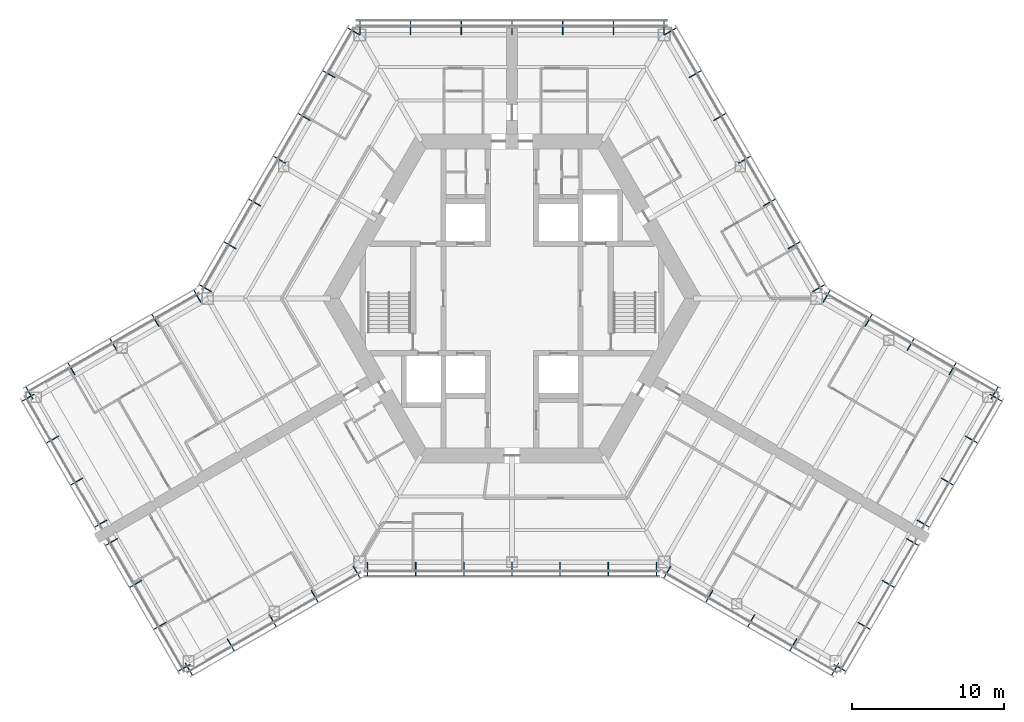
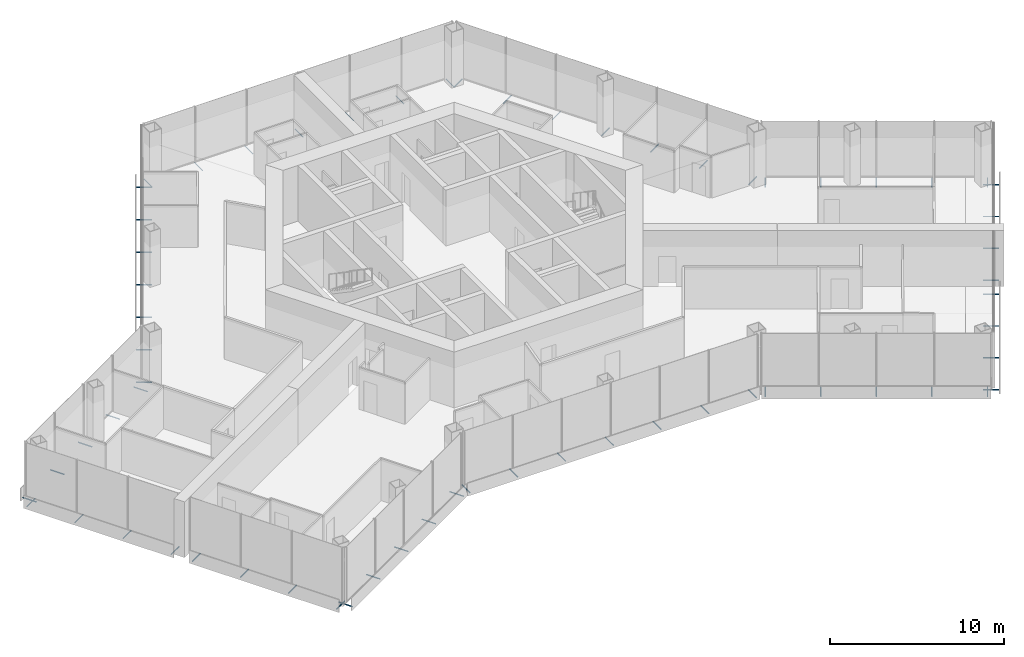
# One storey, part 16 of 18: 64 discrete accessories.
"""IFC4 building model written with IfcOpenShell, lengths in metres."""

from ifc_helpers import new_model, si_unit, direction, frame, origin, origin_2d, place, context, subcontext, project, spatial, hollow_circle, extrude, material, material_profile, profile_set, type_object, element, save


model = new_model("IFC4")

# Units and contexts
model_context = context("Model", 3, precision=1e-05, world=origin(), true_north=direction((0.0, 1.0)))
body_context = subcontext(model_context, "Body", "Model", "MODEL_VIEW")
ifc_project = project(units=[si_unit("LENGTHUNIT", "METRE"), si_unit("AREAUNIT", "SQUARE_METRE"), si_unit("VOLUMEUNIT", "CUBIC_METRE"), si_unit("PLANEANGLEUNIT", "RADIAN"), si_unit("MASSUNIT", "GRAM", prefix="KILO")], contexts=[model_context])

# Site, building, storey
site_placement = place(None, origin())
site = spatial("IfcSite", under=ifc_project, at=site_placement, CompositionType="ELEMENT")
building_placement = place(site_placement, origin())
building = spatial("IfcBuilding", under=site, at=building_placement, Name="Kasaneha Research Tower", CompositionType="ELEMENT")
storey_placement = place(building_placement, frame((0.0, 0.0, 191.60009765625)))
storey = spatial("IfcBuildingStorey", under=building, at=storey_placement, Name="L48", CompositionType="ELEMENT", Elevation=191.60009765625)

# Discrete accessories
ifc_material = material(Name="Steel STK400", Category="steel")
ifc_material_profile = material_profile(ifc_material, hollow_circle(Radius=0.0380859375, WallThickness=0.00390625, at=origin_2d()), Name="CHS-76.3x4.0")
ifc_profile_set = profile_set([ifc_material_profile], Name="Steel STK400")
discrete_accessory_type = type_object("IfcDiscreteAccessoryType", Name="Screen bracket CHS-76.3x4.0", PredefinedType="BRACKET", material=ifc_profile_set)
for number, where, z_axis, x_axis, name in (
    (1, (-9.4892578125, -17.320556640625, -0.300048828125), (0.0, -1.0, 0.0), (1.0, 0.0, 0.0), "Screen bracket 1"),
    (2, (-6.326171875, -17.320556640625, -0.300048828125), (0.0, -1.0, 0.0), (1.0, 0.0, 0.0), "Screen bracket 2"),
    (3, (-3.1630859375, -17.320556640625, -0.300048828125), (0.0, -1.0, 0.0), (1.0, 0.0, 0.0), "Screen bracket 3"),
    (4, (0.0, -17.320556640625, -0.300048828125), (0.0, -1.0, 0.0), (1.0, 0.0, 0.0), "Screen bracket 4"),
    (5, (3.1630859375, -17.320556640625, -0.300048828125), (0.0, -1.0, 0.0), (1.0, 0.0, 0.0), "Screen bracket 5"),
    (6, (6.326171875, -17.320556640625, -0.300048828125), (0.0, -1.0, 0.0), (1.0, 0.0, 0.0), "Screen bracket 6"),
    (7, (9.4892578125, -17.320556640625, -0.300048828125), (0.0, -1.0, 0.0), (1.0, 0.0, 0.0), "Screen bracket 7"),
    (8, (10.4423828125, -17.575927734375, -0.300048828125), (-0.500021113727, -0.866013213425, 0.0), (0.866013213425, -0.500021113727, 0.0), "Screen bracket 1"),
):
    element("IfcDiscreteAccessory", number, at=place(storey_placement, frame(where, z_axis=z_axis, x_axis=x_axis)), inside=storey, type_object=discrete_accessory_type, Name=name, PredefinedType="BRACKET", context=body_context, shape_type="SweptSolid", body=[
        extrude(hollow_circle(Radius=0.0380859375, WallThickness=0.00390625, at=origin_2d()), origin(), (0.0, 0.0, 1.0), 0.919921875),
    ])
discrete_accessory_1_placement = place(storey_placement, frame((13.200439453125, -19.168212890625, -0.300048828125), z_axis=(-0.499906209203, -0.866079547155, 0.0), x_axis=(0.866079547155, -0.499906209203, 0.0)))
element("IfcDiscreteAccessory", 9, at=discrete_accessory_1_placement, inside=storey, type_object=discrete_accessory_type, Name="Screen bracket 2", PredefinedType="BRACKET", context=body_context, shape_type="SweptSolid", body=[
    extrude(hollow_circle(Radius=0.0380859375, WallThickness=0.00390625, at=origin_2d()), origin(), (0.0, 0.0, 1.0), 0.920166015625),
])
discrete_accessory_2_placement = place(storey_placement, frame((15.95849609375, -20.7607421875, -0.300048828125), z_axis=(-0.500021113727, -0.866013213425, 0.0), x_axis=(0.866013213425, -0.500021113727, 0.0)))
element("IfcDiscreteAccessory", 10, at=discrete_accessory_2_placement, inside=storey, type_object=discrete_accessory_type, Name="Screen bracket 3", PredefinedType="BRACKET", context=body_context, shape_type="SweptSolid", body=[
    extrude(hollow_circle(Radius=0.0380859375, WallThickness=0.00390625, at=origin_2d()), origin(), (0.0, 0.0, 1.0), 0.919921875),
])
discrete_accessory_3_placement = place(storey_placement, frame((18.716796875, -22.35302734375, -0.300048828125), z_axis=(-0.500105201737, -0.865964657013, 0.0), x_axis=(0.865964657013, -0.500105201737, 0.0)))
element("IfcDiscreteAccessory", 11, at=discrete_accessory_3_placement, inside=storey, type_object=discrete_accessory_type, Name="Screen bracket 4", PredefinedType="BRACKET", context=body_context, shape_type="SweptSolid", body=[
    extrude(hollow_circle(Radius=0.0380859375, WallThickness=0.00390625, at=origin_2d()), origin(), (0.0, 0.0, 1.0), 0.920166015625),
])
discrete_accessory_4_placement = place(storey_placement, frame((21.474853515625, -23.945556640625, -0.300048828125), z_axis=(-0.500021113727, -0.866013213425, 0.0), x_axis=(0.866013213425, -0.500021113727, 0.0)))
element("IfcDiscreteAccessory", 12, at=discrete_accessory_4_placement, inside=storey, type_object=discrete_accessory_type, Name="Screen bracket 5", PredefinedType="BRACKET", context=body_context, shape_type="SweptSolid", body=[
    extrude(hollow_circle(Radius=0.0380859375, WallThickness=0.00390625, at=origin_2d()), origin(), (0.0, 0.0, 1.0), 0.919921875),
])
discrete_accessory_5_placement = place(storey_placement, frame((21.13330078125, -24.037109375, -0.300048828125), z_axis=(0.866079547155, -0.499906209203, 0.0), x_axis=(0.499906209203, 0.866079547155, 0.0)))
element("IfcDiscreteAccessory", 13, at=discrete_accessory_5_placement, inside=storey, type_object=discrete_accessory_type, Name="Screen bracket 1", PredefinedType="BRACKET", context=body_context, shape_type="SweptSolid", body=[
    extrude(hollow_circle(Radius=0.0380859375, WallThickness=0.00390625, at=origin_2d()), origin(), (0.0, 0.0, 1.0), 0.920166015625),
])
discrete_accessory_6_placement = place(storey_placement, frame((22.72509765625, -21.2802734375, -0.300048828125), z_axis=(0.866013213425, -0.500021113727, 0.0), x_axis=(0.500021113727, 0.866013213425, 0.0)))
element("IfcDiscreteAccessory", 14, at=discrete_accessory_6_placement, inside=storey, type_object=discrete_accessory_type, Name="Screen bracket 2", PredefinedType="BRACKET", context=body_context, shape_type="SweptSolid", body=[
    extrude(hollow_circle(Radius=0.0380859375, WallThickness=0.00390625, at=origin_2d()), origin(), (0.0, 0.0, 1.0), 0.919921875),
])
discrete_accessory_7_placement = place(storey_placement, frame((24.316650390625, -18.5234375, -0.300048828125), z_axis=(0.866079547155, -0.499906209203, 0.0), x_axis=(0.499906209203, 0.866079547155, 0.0)))
element("IfcDiscreteAccessory", 15, at=discrete_accessory_7_placement, inside=storey, type_object=discrete_accessory_type, Name="Screen bracket 3", PredefinedType="BRACKET", context=body_context, shape_type="SweptSolid", body=[
    extrude(hollow_circle(Radius=0.0380859375, WallThickness=0.00390625, at=origin_2d()), origin(), (0.0, 0.0, 1.0), 0.920166015625),
])
for number, where, z_axis, x_axis, name in (
    (16, (25.908447265625, -15.766357421875, -0.300048828125), (0.865898279276, -0.500220121494, 0.0), (0.500220121494, 0.865898279276, 0.0), "Screen bracket 4"),
    (17, (26.6083984375, -14.553955078125, -0.300048828125), (0.866013213425, -0.500021113727, 0.0), (0.500021113727, 0.866013213425, 0.0), "Screen bracket 1"),
):
    element("IfcDiscreteAccessory", number, at=place(storey_placement, frame(where, z_axis=z_axis, x_axis=x_axis)), inside=storey, type_object=discrete_accessory_type, Name=name, PredefinedType="BRACKET", context=body_context, shape_type="SweptSolid", body=[
        extrude(hollow_circle(Radius=0.0380859375, WallThickness=0.00390625, at=origin_2d()), origin(), (0.0, 0.0, 1.0), 0.919921875),
    ])
discrete_accessory_8_placement = place(storey_placement, frame((28.199951171875, -11.797119140625, -0.300048828125), z_axis=(0.866079547155, -0.499906209203, 0.0), x_axis=(0.499906209203, 0.866079547155, 0.0)))
element("IfcDiscreteAccessory", 18, at=discrete_accessory_8_placement, inside=storey, type_object=discrete_accessory_type, Name="Screen bracket 2", PredefinedType="BRACKET", context=body_context, shape_type="SweptSolid", body=[
    extrude(hollow_circle(Radius=0.0380859375, WallThickness=0.00390625, at=origin_2d()), origin(), (0.0, 0.0, 1.0), 0.920166015625),
])
discrete_accessory_9_placement = place(storey_placement, frame((29.791748046875, -9.040283203125, -0.300048828125), z_axis=(0.866013213425, -0.500021113727, 0.0), x_axis=(0.500021113727, 0.866013213425, 0.0)))
element("IfcDiscreteAccessory", 19, at=discrete_accessory_9_placement, inside=storey, type_object=discrete_accessory_type, Name="Screen bracket 3", PredefinedType="BRACKET", context=body_context, shape_type="SweptSolid", body=[
    extrude(hollow_circle(Radius=0.0380859375, WallThickness=0.00390625, at=origin_2d()), origin(), (0.0, 0.0, 1.0), 0.919921875),
])
discrete_accessory_10_placement = place(storey_placement, frame((31.38330078125, -6.283447265625, -0.300048828125), z_axis=(0.866079547155, -0.499906209203, 0.0), x_axis=(0.499906209203, 0.866079547155, 0.0)))
element("IfcDiscreteAccessory", 20, at=discrete_accessory_10_placement, inside=storey, type_object=discrete_accessory_type, Name="Screen bracket 4", PredefinedType="BRACKET", context=body_context, shape_type="SweptSolid", body=[
    extrude(hollow_circle(Radius=0.0380859375, WallThickness=0.00390625, at=origin_2d()), origin(), (0.0, 0.0, 1.0), 0.920166015625),
])
discrete_accessory_11_placement = place(storey_placement, frame((31.474853515625, -6.625, -0.300048828125), z_axis=(0.500021113727, 0.866013213425, 0.0), x_axis=(-0.866013213425, 0.500021113727, 0.0)))
element("IfcDiscreteAccessory", 21, at=discrete_accessory_11_placement, inside=storey, type_object=discrete_accessory_type, Name="Screen bracket 1", PredefinedType="BRACKET", context=body_context, shape_type="SweptSolid", body=[
    extrude(hollow_circle(Radius=0.0380859375, WallThickness=0.00390625, at=origin_2d()), origin(), (0.0, 0.0, 1.0), 0.919921875),
])
discrete_accessory_12_placement = place(storey_placement, frame((28.716796875, -5.03271484375, -0.300048828125), z_axis=(0.499906209203, 0.866079547155, 0.0), x_axis=(-0.866079547155, 0.499906209203, 0.0)))
element("IfcDiscreteAccessory", 22, at=discrete_accessory_12_placement, inside=storey, type_object=discrete_accessory_type, Name="Screen bracket 2", PredefinedType="BRACKET", context=body_context, shape_type="SweptSolid", body=[
    extrude(hollow_circle(Radius=0.0380859375, WallThickness=0.00390625, at=origin_2d()), origin(), (0.0, 0.0, 1.0), 0.920166015625),
])
discrete_accessory_13_placement = place(storey_placement, frame((25.95849609375, -3.440185546875, -0.300048828125), z_axis=(0.500220121494, 0.865898279276, 0.0), x_axis=(-0.865898279276, 0.500220121494, 0.0)))
element("IfcDiscreteAccessory", 23, at=discrete_accessory_13_placement, inside=storey, type_object=discrete_accessory_type, Name="Screen bracket 3", PredefinedType="BRACKET", context=body_context, shape_type="SweptSolid", body=[
    extrude(hollow_circle(Radius=0.0380859375, WallThickness=0.00390625, at=origin_2d()), origin(), (0.0, 0.0, 1.0), 0.919921875),
])
discrete_accessory_14_placement = place(storey_placement, frame((23.200439453125, -1.847900390625, -0.300048828125), z_axis=(0.499906209203, 0.866079547155, 0.0), x_axis=(-0.866079547155, 0.499906209203, 0.0)))
element("IfcDiscreteAccessory", 24, at=discrete_accessory_14_placement, inside=storey, type_object=discrete_accessory_type, Name="Screen bracket 4", PredefinedType="BRACKET", context=body_context, shape_type="SweptSolid", body=[
    extrude(hollow_circle(Radius=0.0380859375, WallThickness=0.00390625, at=origin_2d()), origin(), (0.0, 0.0, 1.0), 0.920166015625),
])
for number, where, z_axis, x_axis, name in (
    (25, (20.4423828125, -0.25537109375, -0.300048828125), (0.500021113727, 0.866013213425, 0.0), (-0.866013213425, 0.500021113727, 0.0), "Screen bracket 5"),
    (26, (19.74462890625, 0.4423828125, -0.300048828125), (0.866013213425, 0.500021113727, 0.0), (-0.500021113727, 0.866013213425, 0.0), "Screen bracket 1"),
    (27, (18.120849609375, 3.2548828125, -0.300048828125), (0.866013213425, 0.500021113727, 0.0), (-0.500021113727, 0.866013213425, 0.0), "Screen bracket 2"),
    (28, (16.4970703125, 6.0673828125, -0.300048828125), (0.866013213425, 0.500021113727, 0.0), (-0.500021113727, 0.866013213425, 0.0), "Screen bracket 3"),
    (29, (14.873291015625, 8.8798828125, -0.300048828125), (0.866013213425, 0.500021113727, 0.0), (-0.500021113727, 0.866013213425, 0.0), "Screen bracket 4"),
    (30, (13.24951171875, 11.6923828125, -0.300048828125), (0.866013213425, 0.500021113727, 0.0), (-0.500021113727, 0.866013213425, 0.0), "Screen bracket 5"),
):
    element("IfcDiscreteAccessory", number, at=place(storey_placement, frame(where, z_axis=z_axis, x_axis=x_axis)), inside=storey, type_object=discrete_accessory_type, Name=name, PredefinedType="BRACKET", context=body_context, shape_type="SweptSolid", body=[
        extrude(hollow_circle(Radius=0.0380859375, WallThickness=0.00390625, at=origin_2d()), origin(), (0.0, 0.0, 1.0), 0.919921875),
    ])
for number, where, z_axis, x_axis, name in (
    (31, (11.62548828125, 14.5048828125, -0.300048828125), (0.866079547155, 0.499906209203, 0.0), (-0.499906209203, 0.866079547155, 0.0), "Screen bracket 6"),
    (32, (10.001708984375, 17.3173828125, -0.300048828125), (0.866079547155, 0.499906209203, 0.0), (-0.499906209203, 0.866079547155, 0.0), "Screen bracket 7"),
):
    element("IfcDiscreteAccessory", number, at=place(storey_placement, frame(where, z_axis=z_axis, x_axis=x_axis)), inside=storey, type_object=discrete_accessory_type, Name=name, PredefinedType="BRACKET", context=body_context, shape_type="SweptSolid", body=[
        extrude(hollow_circle(Radius=0.0380859375, WallThickness=0.00390625, at=origin_2d()), origin(), (0.0, 0.0, 1.0), 0.920166015625),
    ])
for number, where, z_axis, x_axis, name in (
    (33, (9.996337890625, 17.320556640625, -0.300048828125), (0.0, 1.0, 0.0), (-1.0, 0.0, 0.0), "Screen bracket 1"),
    (34, (6.664306640625, 17.320556640625, -0.300048828125), (0.0, 1.0, 0.0), (-1.0, 0.0, 0.0), "Screen bracket 2"),
    (35, (3.33203125, 17.320556640625, -0.300048828125), (0.0, 1.0, 0.0), (-1.0, 0.0, 0.0), "Screen bracket 3"),
    (36, (0.0, 17.320556640625, -0.300048828125), (0.0, 1.0, 0.0), (-1.0, 0.0, 0.0), "Screen bracket 4"),
    (37, (-3.33203125, 17.320556640625, -0.300048828125), (0.0, 1.0, 0.0), (-1.0, 0.0, 0.0), "Screen bracket 5"),
    (38, (-6.664306640625, 17.320556640625, -0.300048828125), (0.0, 1.0, 0.0), (-1.0, 0.0, 0.0), "Screen bracket 6"),
    (39, (-9.996337890625, 17.320556640625, -0.300048828125), (0.0, 1.0, 0.0), (-1.0, 0.0, 0.0), "Screen bracket 7"),
):
    element("IfcDiscreteAccessory", number, at=place(storey_placement, frame(where, z_axis=z_axis, x_axis=x_axis)), inside=storey, type_object=discrete_accessory_type, Name=name, PredefinedType="BRACKET", context=body_context, shape_type="SweptSolid", body=[
        extrude(hollow_circle(Radius=0.0380859375, WallThickness=0.00390625, at=origin_2d()), origin(), (0.0, 0.0, 1.0), 0.919921875),
    ])
for number, where, z_axis, x_axis, name in (
    (40, (-10.001708984375, 17.3173828125, -0.300048828125), (-0.866079547155, 0.499906209203, 0.0), (-0.499906209203, -0.866079547155, 0.0), "Screen bracket 1"),
    (41, (-11.62548828125, 14.5048828125, -0.300048828125), (-0.866079547155, 0.499906209203, 0.0), (-0.499906209203, -0.866079547155, 0.0), "Screen bracket 2"),
):
    element("IfcDiscreteAccessory", number, at=place(storey_placement, frame(where, z_axis=z_axis, x_axis=x_axis)), inside=storey, type_object=discrete_accessory_type, Name=name, PredefinedType="BRACKET", context=body_context, shape_type="SweptSolid", body=[
        extrude(hollow_circle(Radius=0.0380859375, WallThickness=0.00390625, at=origin_2d()), origin(), (0.0, 0.0, 1.0), 0.920166015625),
    ])
for number, where, z_axis, x_axis, name in (
    (42, (-13.24951171875, 11.6923828125, -0.300048828125), (-0.866013213425, 0.500021113727, 0.0), (-0.500021113727, -0.866013213425, 0.0), "Screen bracket 3"),
    (43, (-14.873291015625, 8.8798828125, -0.300048828125), (-0.866013213425, 0.500021113727, 0.0), (-0.500021113727, -0.866013213425, 0.0), "Screen bracket 4"),
    (44, (-16.4970703125, 6.0673828125, -0.300048828125), (-0.866013213425, 0.500021113727, 0.0), (-0.500021113727, -0.866013213425, 0.0), "Screen bracket 5"),
    (45, (-18.120849609375, 3.2548828125, -0.300048828125), (-0.866013213425, 0.500021113727, 0.0), (-0.500021113727, -0.866013213425, 0.0), "Screen bracket 6"),
    (46, (-19.74462890625, 0.4423828125, -0.300048828125), (-0.866013213425, 0.500021113727, 0.0), (-0.500021113727, -0.866013213425, 0.0), "Screen bracket 7"),
    (47, (-20.4423828125, -0.25537109375, -0.300048828125), (-0.500021113727, 0.866013213425, 0.0), (-0.866013213425, -0.500021113727, 0.0), "Screen bracket 1"),
):
    element("IfcDiscreteAccessory", number, at=place(storey_placement, frame(where, z_axis=z_axis, x_axis=x_axis)), inside=storey, type_object=discrete_accessory_type, Name=name, PredefinedType="BRACKET", context=body_context, shape_type="SweptSolid", body=[
        extrude(hollow_circle(Radius=0.0380859375, WallThickness=0.00390625, at=origin_2d()), origin(), (0.0, 0.0, 1.0), 0.919921875),
    ])
discrete_accessory_15_placement = place(storey_placement, frame((-23.200439453125, -1.847900390625, -0.300048828125), z_axis=(-0.499906209203, 0.866079547155, 0.0), x_axis=(-0.866079547155, -0.499906209203, 0.0)))
element("IfcDiscreteAccessory", 48, at=discrete_accessory_15_placement, inside=storey, type_object=discrete_accessory_type, Name="Screen bracket 2", PredefinedType="BRACKET", context=body_context, shape_type="SweptSolid", body=[
    extrude(hollow_circle(Radius=0.0380859375, WallThickness=0.00390625, at=origin_2d()), origin(), (0.0, 0.0, 1.0), 0.920166015625),
])
discrete_accessory_16_placement = place(storey_placement, frame((-25.95849609375, -3.440185546875, -0.300048828125), z_axis=(-0.500220121494, 0.865898279276, 0.0), x_axis=(-0.865898279276, -0.500220121494, 0.0)))
element("IfcDiscreteAccessory", 49, at=discrete_accessory_16_placement, inside=storey, type_object=discrete_accessory_type, Name="Screen bracket 3", PredefinedType="BRACKET", context=body_context, shape_type="SweptSolid", body=[
    extrude(hollow_circle(Radius=0.0380859375, WallThickness=0.00390625, at=origin_2d()), origin(), (0.0, 0.0, 1.0), 0.919921875),
])
discrete_accessory_17_placement = place(storey_placement, frame((-28.716796875, -5.03271484375, -0.300048828125), z_axis=(-0.499906209203, 0.866079547155, 0.0), x_axis=(-0.866079547155, -0.499906209203, 0.0)))
element("IfcDiscreteAccessory", 50, at=discrete_accessory_17_placement, inside=storey, type_object=discrete_accessory_type, Name="Screen bracket 4", PredefinedType="BRACKET", context=body_context, shape_type="SweptSolid", body=[
    extrude(hollow_circle(Radius=0.0380859375, WallThickness=0.00390625, at=origin_2d()), origin(), (0.0, 0.0, 1.0), 0.920166015625),
])
discrete_accessory_18_placement = place(storey_placement, frame((-31.474853515625, -6.625, -0.300048828125), z_axis=(-0.500021113727, 0.866013213425, 0.0), x_axis=(-0.866013213425, -0.500021113727, 0.0)))
element("IfcDiscreteAccessory", 51, at=discrete_accessory_18_placement, inside=storey, type_object=discrete_accessory_type, Name="Screen bracket 5", PredefinedType="BRACKET", context=body_context, shape_type="SweptSolid", body=[
    extrude(hollow_circle(Radius=0.0380859375, WallThickness=0.00390625, at=origin_2d()), origin(), (0.0, 0.0, 1.0), 0.919921875),
])
discrete_accessory_19_placement = place(storey_placement, frame((-31.38330078125, -6.283447265625, -0.300048828125), z_axis=(-0.866079547155, -0.499906209203, 0.0), x_axis=(0.499906209203, -0.866079547155, 0.0)))
element("IfcDiscreteAccessory", 52, at=discrete_accessory_19_placement, inside=storey, type_object=discrete_accessory_type, Name="Screen bracket 1", PredefinedType="BRACKET", context=body_context, shape_type="SweptSolid", body=[
    extrude(hollow_circle(Radius=0.0380859375, WallThickness=0.00390625, at=origin_2d()), origin(), (0.0, 0.0, 1.0), 0.920166015625),
])
discrete_accessory_20_placement = place(storey_placement, frame((-29.791748046875, -9.040283203125, -0.300048828125), z_axis=(-0.866013213425, -0.500021113727, 0.0), x_axis=(0.500021113727, -0.866013213425, 0.0)))
element("IfcDiscreteAccessory", 53, at=discrete_accessory_20_placement, inside=storey, type_object=discrete_accessory_type, Name="Screen bracket 2", PredefinedType="BRACKET", context=body_context, shape_type="SweptSolid", body=[
    extrude(hollow_circle(Radius=0.0380859375, WallThickness=0.00390625, at=origin_2d()), origin(), (0.0, 0.0, 1.0), 0.919921875),
])
discrete_accessory_21_placement = place(storey_placement, frame((-28.199951171875, -11.797119140625, -0.300048828125), z_axis=(-0.866079547155, -0.499906209203, 0.0), x_axis=(0.499906209203, -0.866079547155, 0.0)))
element("IfcDiscreteAccessory", 54, at=discrete_accessory_21_placement, inside=storey, type_object=discrete_accessory_type, Name="Screen bracket 3", PredefinedType="BRACKET", context=body_context, shape_type="SweptSolid", body=[
    extrude(hollow_circle(Radius=0.0380859375, WallThickness=0.00390625, at=origin_2d()), origin(), (0.0, 0.0, 1.0), 0.920166015625),
])
for number, where, z_axis, x_axis, name in (
    (55, (-26.6083984375, -14.553955078125, -0.300048828125), (-0.866013213425, -0.500021113727, 0.0), (0.500021113727, -0.866013213425, 0.0), "Screen bracket 4"),
    (56, (-25.908447265625, -15.766357421875, -0.300048828125), (-0.865898279276, -0.500220121494, 0.0), (0.500220121494, -0.865898279276, 0.0), "Screen bracket 1"),
):
    element("IfcDiscreteAccessory", number, at=place(storey_placement, frame(where, z_axis=z_axis, x_axis=x_axis)), inside=storey, type_object=discrete_accessory_type, Name=name, PredefinedType="BRACKET", context=body_context, shape_type="SweptSolid", body=[
        extrude(hollow_circle(Radius=0.0380859375, WallThickness=0.00390625, at=origin_2d()), origin(), (0.0, 0.0, 1.0), 0.919921875),
    ])
discrete_accessory_22_placement = place(storey_placement, frame((-24.316650390625, -18.5234375, -0.300048828125), z_axis=(-0.866079547155, -0.499906209203, 0.0), x_axis=(0.499906209203, -0.866079547155, 0.0)))
element("IfcDiscreteAccessory", 57, at=discrete_accessory_22_placement, inside=storey, type_object=discrete_accessory_type, Name="Screen bracket 2", PredefinedType="BRACKET", context=body_context, shape_type="SweptSolid", body=[
    extrude(hollow_circle(Radius=0.0380859375, WallThickness=0.00390625, at=origin_2d()), origin(), (0.0, 0.0, 1.0), 0.920166015625),
])
discrete_accessory_23_placement = place(storey_placement, frame((-22.72509765625, -21.2802734375, -0.300048828125), z_axis=(-0.866013213425, -0.500021113727, 0.0), x_axis=(0.500021113727, -0.866013213425, 0.0)))
element("IfcDiscreteAccessory", 58, at=discrete_accessory_23_placement, inside=storey, type_object=discrete_accessory_type, Name="Screen bracket 3", PredefinedType="BRACKET", context=body_context, shape_type="SweptSolid", body=[
    extrude(hollow_circle(Radius=0.0380859375, WallThickness=0.00390625, at=origin_2d()), origin(), (0.0, 0.0, 1.0), 0.919921875),
])
discrete_accessory_24_placement = place(storey_placement, frame((-21.13330078125, -24.037109375, -0.300048828125), z_axis=(-0.866079547155, -0.499906209203, 0.0), x_axis=(0.499906209203, -0.866079547155, 0.0)))
element("IfcDiscreteAccessory", 59, at=discrete_accessory_24_placement, inside=storey, type_object=discrete_accessory_type, Name="Screen bracket 4", PredefinedType="BRACKET", context=body_context, shape_type="SweptSolid", body=[
    extrude(hollow_circle(Radius=0.0380859375, WallThickness=0.00390625, at=origin_2d()), origin(), (0.0, 0.0, 1.0), 0.920166015625),
])
discrete_accessory_25_placement = place(storey_placement, frame((-21.474853515625, -23.945556640625, -0.300048828125), z_axis=(0.500021113727, -0.866013213425, 0.0), x_axis=(0.866013213425, 0.500021113727, 0.0)))
element("IfcDiscreteAccessory", 60, at=discrete_accessory_25_placement, inside=storey, type_object=discrete_accessory_type, Name="Screen bracket 1", PredefinedType="BRACKET", context=body_context, shape_type="SweptSolid", body=[
    extrude(hollow_circle(Radius=0.0380859375, WallThickness=0.00390625, at=origin_2d()), origin(), (0.0, 0.0, 1.0), 0.919921875),
])
discrete_accessory_26_placement = place(storey_placement, frame((-18.716796875, -22.35302734375, -0.300048828125), z_axis=(0.500105201737, -0.865964657013, 0.0), x_axis=(0.865964657013, 0.500105201737, 0.0)))
element("IfcDiscreteAccessory", 61, at=discrete_accessory_26_placement, inside=storey, type_object=discrete_accessory_type, Name="Screen bracket 2", PredefinedType="BRACKET", context=body_context, shape_type="SweptSolid", body=[
    extrude(hollow_circle(Radius=0.0380859375, WallThickness=0.00390625, at=origin_2d()), origin(), (0.0, 0.0, 1.0), 0.920166015625),
])
discrete_accessory_27_placement = place(storey_placement, frame((-15.95849609375, -20.7607421875, -0.300048828125), z_axis=(0.500021113727, -0.866013213425, 0.0), x_axis=(0.866013213425, 0.500021113727, 0.0)))
element("IfcDiscreteAccessory", 62, at=discrete_accessory_27_placement, inside=storey, type_object=discrete_accessory_type, Name="Screen bracket 3", PredefinedType="BRACKET", context=body_context, shape_type="SweptSolid", body=[
    extrude(hollow_circle(Radius=0.0380859375, WallThickness=0.00390625, at=origin_2d()), origin(), (0.0, 0.0, 1.0), 0.919921875),
])
discrete_accessory_28_placement = place(storey_placement, frame((-13.200439453125, -19.168212890625, -0.300048828125), z_axis=(0.499906209203, -0.866079547155, 0.0), x_axis=(0.866079547155, 0.499906209203, 0.0)))
element("IfcDiscreteAccessory", 63, at=discrete_accessory_28_placement, inside=storey, type_object=discrete_accessory_type, Name="Screen bracket 4", PredefinedType="BRACKET", context=body_context, shape_type="SweptSolid", body=[
    extrude(hollow_circle(Radius=0.0380859375, WallThickness=0.00390625, at=origin_2d()), origin(), (0.0, 0.0, 1.0), 0.920166015625),
])
discrete_accessory_29_placement = place(storey_placement, frame((-10.4423828125, -17.575927734375, -0.300048828125), z_axis=(0.500021113727, -0.866013213425, 0.0), x_axis=(0.866013213425, 0.500021113727, 0.0)))
element("IfcDiscreteAccessory", 64, at=discrete_accessory_29_placement, inside=storey, type_object=discrete_accessory_type, Name="Screen bracket 5", PredefinedType="BRACKET", context=body_context, shape_type="SweptSolid", body=[
    extrude(hollow_circle(Radius=0.0380859375, WallThickness=0.00390625, at=origin_2d()), origin(), (0.0, 0.0, 1.0), 0.919921875),
])

save(model, "model.ifc")
